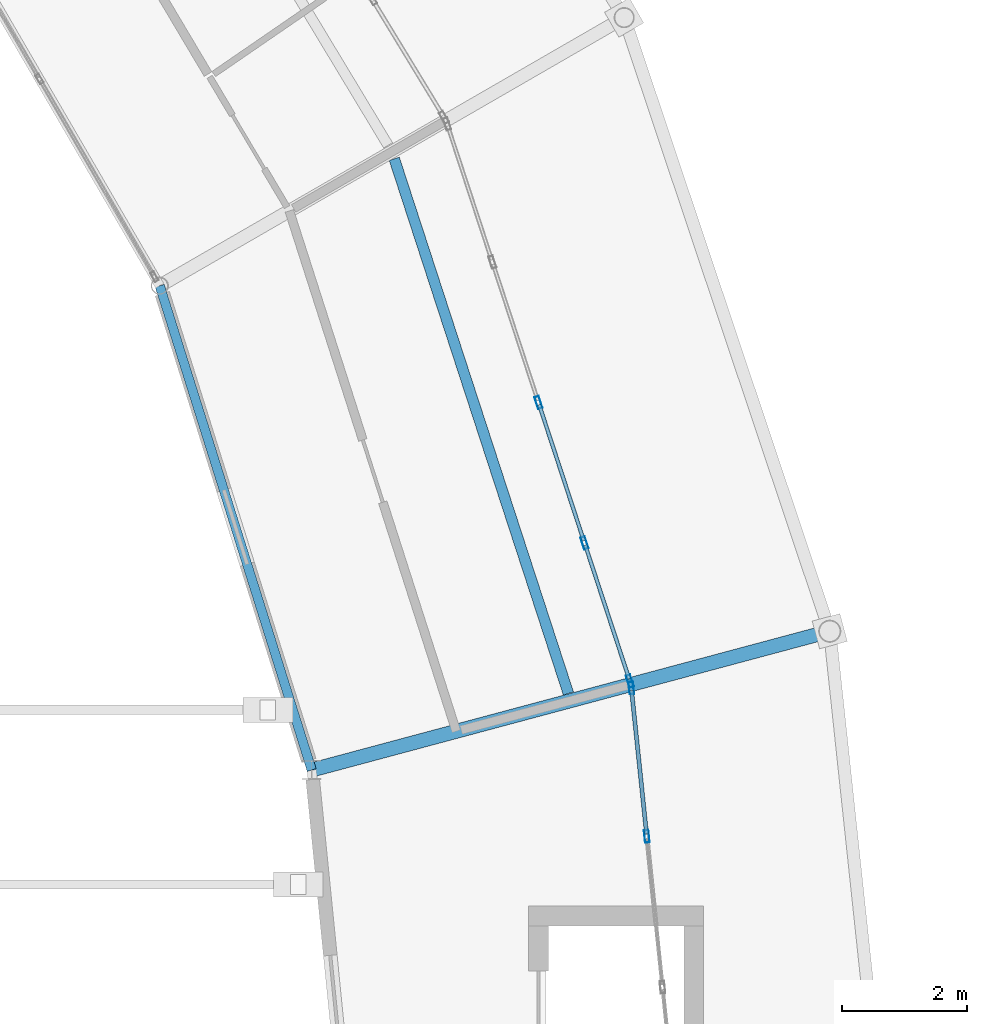
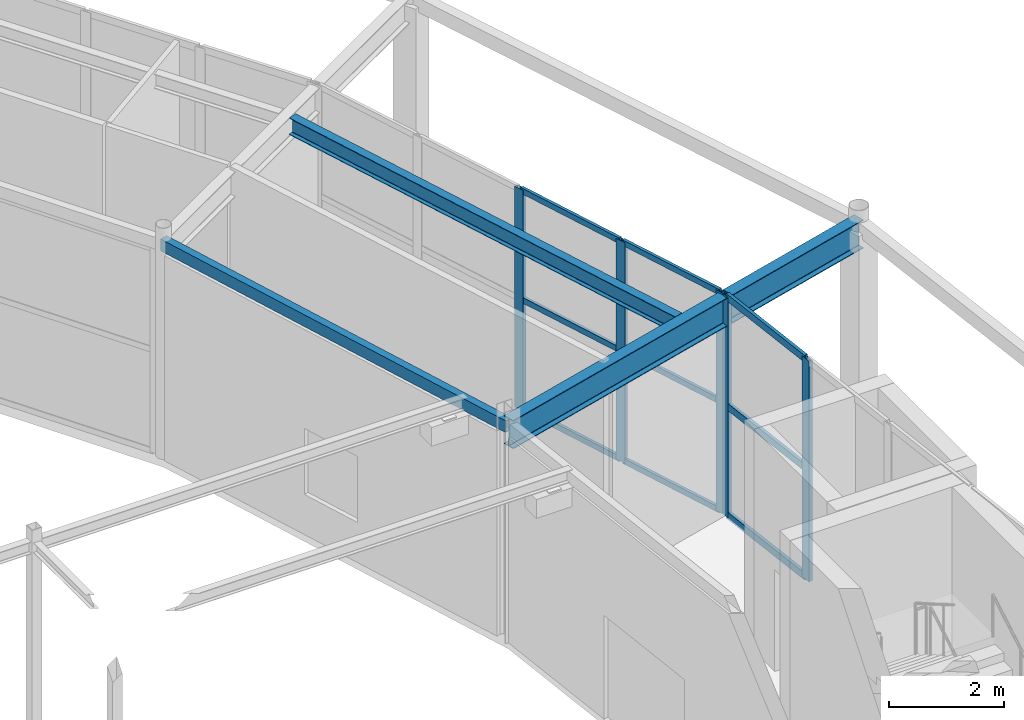
# One storey, part 68 of 144: 14 members, 3 beams, 2 elements without a shape of their own.
"""IFC4 building model written with IfcOpenShell, lengths in metres."""

from ifc_helpers import new_model, si_unit, direction, frame, origin, origin_2d, place, context, subcontext, project, spatial, hollow_rectangle, i_section, extrude, material, material_profile, profile_set, type_object, element, aggregate, save


model = new_model("IFC4")

# Units and contexts
model_context = context("Model", 3, precision=1e-05, world=origin(), true_north=direction((0.0, 1.0)))
body_context = subcontext(model_context, "Body", "Model", "MODEL_VIEW")
ifc_project = project(units=[si_unit("LENGTHUNIT", "METRE"), si_unit("AREAUNIT", "SQUARE_METRE"), si_unit("VOLUMEUNIT", "CUBIC_METRE"), si_unit("PLANEANGLEUNIT", "RADIAN"), si_unit("MASSUNIT", "GRAM", prefix="KILO")], contexts=[model_context])

# Site, building, storey
site_placement = place(None, origin())
site = spatial("IfcSite", under=ifc_project, at=site_placement, CompositionType="ELEMENT")
building_placement = place(site_placement, origin())
building = spatial("IfcBuilding", under=site, at=building_placement, Name="Karori Crest Natural Sciences Institute", CompositionType="ELEMENT")
storey_placement = place(building_placement, origin())
storey = spatial("IfcBuildingStorey", under=building, at=storey_placement, Name="L00", CompositionType="ELEMENT", Elevation=0.0)

# Beams
ifc_material_1 = material(Name="Hollow structural steel AS/NZS 1163 Grade C350", Category="steel")
ifc_material_profile_1 = material_profile(ifc_material_1, hollow_rectangle(XDim=0.14990234375, YDim=0.25, WallThickness=0.009033203125, at=origin_2d()), Name="RHS250x150x9")
ifc_profile_set_1 = profile_set([ifc_material_profile_1], Name="Hollow structural steel AS/NZS 1163 Grade C350")
beam_type_1 = type_object("IfcBeamType", Name="BT-16", PredefinedType="SPANDREL", material=ifc_profile_set_1)
beam_1_placement = place(storey_placement, frame((89.968505859375, 58.23388671875, 4.489990234375), z_axis=(-0.299460006143, 0.954108853706, 0.0), x_axis=(-0.954108853706, -0.299460006143, 0.0)))
element("IfcBeam", 1, at=beam_1_placement, inside=storey, type_object=beam_type_1, Name="Beam B-0094", PredefinedType="SPANDREL", context=body_context, shape_type="SweptSolid", body=[
    extrude(hollow_rectangle(XDim=0.14990234375, YDim=0.25, WallThickness=0.009033203125, at=origin_2d()), origin(), (0.0, 0.0, 1.0), 8.1396484375),
])
ifc_material_2 = material(Name="Structural steel AS/NZS 3679.1 Grade 350", Category="steel")
ifc_material_profile_2 = material_profile(ifc_material_2, i_section(OverallWidth=0.22802734375, OverallDepth=0.60205078125, WebThickness=0.010498046875, FlangeThickness=0.014892578125, FilletRadius=0.013916015625, at=origin_2d()), Name="610UB101")
ifc_profile_set_2 = profile_set([ifc_material_profile_2], Name="Structural steel AS/NZS 3679.1 Grade 350")
beam_type_2 = type_object("IfcBeamType", Name="BT-27", PredefinedType="BEAM", material=ifc_profile_set_2)
beam_2_placement = place(storey_placement, frame((89.968505859375, 58.23388671875, 4.339111328125), z_axis=(0.96592752402, 0.258812709002, 0.0), x_axis=(-0.258812709002, 0.96592752402, 0.0)))
element("IfcBeam", 2, at=beam_2_placement, inside=storey, type_object=beam_type_2, Name="Beam B-0095", PredefinedType="BEAM", context=body_context, shape_type="SweptSolid", body=[
    extrude(i_section(OverallWidth=0.22802734375, OverallDepth=0.60205078125, WebThickness=0.010498046875, FlangeThickness=0.014892578125, FilletRadius=0.013916015625, at=origin_2d()), origin(), (0.0, 0.0, 1.0), 8.60009765625),
])
ifc_material_profile_3 = material_profile(ifc_material_2, i_section(OverallWidth=0.1708984375, OverallDepth=0.35595703125, WebThickness=0.00732421875, FlangeThickness=0.011474609375, FilletRadius=0.010986328125, at=origin_2d()), Name="360UB50.7")
ifc_profile_set_3 = profile_set([ifc_material_profile_3], Name="Structural steel AS/NZS 3679.1 Grade 350")
beam_type_3 = type_object("IfcBeamType", Name="BT-30", PredefinedType="BEAM", material=ifc_profile_set_3)
beam_3_placement = place(storey_placement, frame((94.0849609375, 59.4609375, 4.4619140625), z_axis=(-0.309698753032, 0.950834729262, 0.0), x_axis=(-0.950834729262, -0.309698753032, 0.0)))
element("IfcBeam", 3, at=beam_3_placement, inside=storey, type_object=beam_type_3, Name="Beam B-0096", PredefinedType="BEAM", context=body_context, shape_type="SweptSolid", body=[
    extrude(i_section(OverallWidth=0.1708984375, OverallDepth=0.35595703125, WebThickness=0.00732421875, FlangeThickness=0.011474609375, FilletRadius=0.010986328125, at=origin_2d()), origin(), (0.0, 0.0, 1.0), 9.018310546875),
])

# Curtain wall, members
ifc_material_3 = material(Name="Anodised architectural aluminium 6063-T6", Category="aluminium")
curtain_wall_type_1 = type_object("IfcCurtainWallType", Name="CWT-01", PredefinedType="NOTDEFINED", material=ifc_material_3)
curtain_wall_1_placement = place(storey_placement, origin())
curtain_wall_1 = element("IfcCurtainWall", 4, at=curtain_wall_1_placement, inside=storey, type_object=curtain_wall_type_1, Name="Curtain wall CW-0001", PredefinedType="NOTDEFINED")
ifc_material_profile_4 = material_profile(ifc_material_3, hollow_rectangle(XDim=0.074951171875, YDim=0.199951171875, WallThickness=0.0048828125, at=origin_2d()), Name="CWM200x75x5")
ifc_profile_set_4 = profile_set([ifc_material_profile_4], Name="Anodised architectural aluminium 6063-T6")
member_type_1 = type_object("IfcMemberType", Name="CWM-02", PredefinedType="MULLION", material=ifc_profile_set_4)
member_1_placement = place(storey_placement, frame((95.093994140625, 59.548583984375, 0.0), z_axis=(0.0, 0.0, 1.0), x_axis=(0.994608485589, 0.103701303727, 0.0)))
member_1 = element("IfcMember", 5, at=member_1_placement, type_object=member_type_1, Name="CW-0001 mullion 1", PredefinedType="MULLION", context=body_context, shape_type="SweptSolid", body=[
    extrude(hollow_rectangle(XDim=0.074951171875, YDim=0.199951171875, WallThickness=0.0048828125, at=origin_2d()), origin(), (0.0, 0.0, 1.0), 4.679931640625),
])
member_2_placement = place(storey_placement, frame((95.342041015625, 57.16943359375, 0.0), z_axis=(0.0, 0.0, 1.0), x_axis=(0.994608485589, 0.103701303727, 0.0)))
member_2 = element("IfcMember", 6, at=member_2_placement, type_object=member_type_1, Name="CW-0001 mullion 2", PredefinedType="MULLION", context=body_context, shape_type="SweptSolid", body=[
    extrude(hollow_rectangle(XDim=0.074951171875, YDim=0.199951171875, WallThickness=0.0048828125, at=origin_2d()), origin(), (0.0, 0.0, 1.0), 4.679931640625),
])

curtain_wall_type_2 = type_object("IfcCurtainWallType", Name="CWT-02", PredefinedType="NOTDEFINED", material=ifc_material_3)
curtain_wall_2_placement = place(storey_placement, origin())
curtain_wall_2 = element("IfcCurtainWall", 7, at=curtain_wall_2_placement, inside=storey, type_object=curtain_wall_type_2, Name="Curtain wall CW-0002", PredefinedType="NOTDEFINED")
member_3_placement = place(storey_placement, frame((93.6044921875, 64.1279296875, 0.0), z_axis=(0.0, 0.0, 1.0), x_axis=(0.950175969879, 0.311714013584, 0.0)))
member_3 = element("IfcMember", 8, at=member_3_placement, type_object=member_type_1, Name="CW-0002 mullion 3", PredefinedType="MULLION", context=body_context, shape_type="SweptSolid", body=[
    extrude(hollow_rectangle(XDim=0.074951171875, YDim=0.199951171875, WallThickness=0.0048828125, at=origin_2d()), origin(), (0.0, 0.0, 1.0), 4.679931640625),
])
member_4_placement = place(storey_placement, frame((94.34326171875, 61.876220703125, 0.0), z_axis=(0.0, 0.0, 1.0), x_axis=(0.950175969879, 0.311714013584, 0.0)))
member_4 = element("IfcMember", 9, at=member_4_placement, type_object=member_type_1, Name="CW-0002 mullion 4", PredefinedType="MULLION", context=body_context, shape_type="SweptSolid", body=[
    extrude(hollow_rectangle(XDim=0.074951171875, YDim=0.199951171875, WallThickness=0.0048828125, at=origin_2d()), origin(), (0.0, 0.0, 1.0), 4.679931640625),
])
member_5_placement = place(storey_placement, frame((95.070068359375, 59.660400390625, 0.0), z_axis=(0.0, 0.0, 1.0), x_axis=(0.950175969879, 0.311714013584, 0.0)))
member_5 = element("IfcMember", 10, at=member_5_placement, type_object=member_type_1, Name="CW-0002 mullion 5", PredefinedType="MULLION", context=body_context, shape_type="SweptSolid", body=[
    extrude(hollow_rectangle(XDim=0.074951171875, YDim=0.199951171875, WallThickness=0.0048828125, at=origin_2d()), origin(), (0.0, 0.0, 1.0), 4.679931640625),
])
ifc_material_profile_5 = material_profile(ifc_material_3, hollow_rectangle(XDim=0.06005859375, YDim=0.1201171875, WallThickness=0.00390625, at=origin_2d()), Name="CWT120x60x4")
ifc_profile_set_5 = profile_set([ifc_material_profile_5], Name="Anodised architectural aluminium 6063-T6")
member_type_2 = type_object("IfcMemberType", Name="CWT-TR1", PredefinedType="USERDEFINED", material=ifc_profile_set_5)
member_6_placement = place(storey_placement, frame((93.6162109375, 64.09228515625, 0.030029296875), z_axis=(0.311723893704, -0.950172728557, 0.0), x_axis=(0.950172728557, 0.311723893704, 0.0)))
member_6 = element("IfcMember", 11, at=member_6_placement, type_object=member_type_2, Name="CW-0002 transom 3.1", ObjectType="TRANSOM", PredefinedType="USERDEFINED", context=body_context, shape_type="SweptSolid", body=[
    extrude(hollow_rectangle(XDim=0.06005859375, YDim=0.1201171875, WallThickness=0.00390625, at=origin_2d()), origin(), (0.0, 0.0, 1.0), 2.294677734375),
])
member_7_placement = place(storey_placement, frame((93.6162109375, 64.09228515625, 2.340087890625), z_axis=(0.311723893704, -0.950172728557, 0.0), x_axis=(0.950172728557, 0.311723893704, 0.0)))
member_7 = element("IfcMember", 12, at=member_7_placement, type_object=member_type_2, Name="CW-0002 transom 3.2", ObjectType="TRANSOM", PredefinedType="USERDEFINED", context=body_context, shape_type="SweptSolid", body=[
    extrude(hollow_rectangle(XDim=0.06005859375, YDim=0.1201171875, WallThickness=0.00390625, at=origin_2d()), origin(), (0.0, 0.0, 1.0), 2.294677734375),
])
member_8_placement = place(storey_placement, frame((93.6162109375, 64.09228515625, 4.64990234375), z_axis=(0.311723893704, -0.950172728557, 0.0), x_axis=(0.950172728557, 0.311723893704, 0.0)))
member_8 = element("IfcMember", 13, at=member_8_placement, type_object=member_type_2, Name="CW-0002 transom 3.3", ObjectType="TRANSOM", PredefinedType="USERDEFINED", context=body_context, shape_type="SweptSolid", body=[
    extrude(hollow_rectangle(XDim=0.06005859375, YDim=0.1201171875, WallThickness=0.00390625, at=origin_2d()), origin(), (0.0, 0.0, 1.0), 2.294677734375),
])
member_9_placement = place(storey_placement, frame((94.354736328125, 61.840576171875, 0.030029296875), z_axis=(0.311746003842, -0.950165474583, 0.0), x_axis=(0.950165474583, 0.311746003842, 0.0)))
member_9 = element("IfcMember", 14, at=member_9_placement, type_object=member_type_2, Name="CW-0002 transom 4.1", ObjectType="TRANSOM", PredefinedType="USERDEFINED", context=body_context, shape_type="SweptSolid", body=[
    extrude(hollow_rectangle(XDim=0.06005859375, YDim=0.1201171875, WallThickness=0.00390625, at=origin_2d()), origin(), (0.0, 0.0, 1.0), 2.257080078125),
])
member_10_placement = place(storey_placement, frame((94.354736328125, 61.840576171875, 2.340087890625), z_axis=(0.311746003842, -0.950165474583, 0.0), x_axis=(0.950165474583, 0.311746003842, 0.0)))
member_10 = element("IfcMember", 15, at=member_10_placement, type_object=member_type_2, Name="CW-0002 transom 4.2", ObjectType="TRANSOM", PredefinedType="USERDEFINED", context=body_context, shape_type="SweptSolid", body=[
    extrude(hollow_rectangle(XDim=0.06005859375, YDim=0.1201171875, WallThickness=0.00390625, at=origin_2d()), origin(), (0.0, 0.0, 1.0), 2.257080078125),
])
member_11_placement = place(storey_placement, frame((94.354736328125, 61.840576171875, 4.64990234375), z_axis=(0.311746003842, -0.950165474583, 0.0), x_axis=(0.950165474583, 0.311746003842, 0.0)))
member_11 = element("IfcMember", 16, at=member_11_placement, type_object=member_type_2, Name="CW-0002 transom 4.3", ObjectType="TRANSOM", PredefinedType="USERDEFINED", context=body_context, shape_type="SweptSolid", body=[
    extrude(hollow_rectangle(XDim=0.06005859375, YDim=0.1201171875, WallThickness=0.00390625, at=origin_2d()), origin(), (0.0, 0.0, 1.0), 2.257080078125),
])
aggregate(curtain_wall_2, [member_3, member_4, member_5, member_6, member_7, member_8, member_9, member_10, member_11])

# Member
ifc_material_profile_6 = material_profile(ifc_material_3, hollow_rectangle(XDim=0.06494140625, YDim=0.14990234375, WallThickness=0.00390625, at=origin_2d()), Name="CWT150x65x4")
ifc_profile_set_6 = profile_set([ifc_material_profile_6], Name="Anodised architectural aluminium 6063-T6")
member_type_3 = type_object("IfcMemberType", Name="CWT-TR2", PredefinedType="USERDEFINED", material=ifc_profile_set_6)
member_12_placement = place(storey_placement, frame((95.097900390625, 59.51123046875, 0.032470703125), z_axis=(0.103675570927, -0.994611168243, 0.0), x_axis=(0.994611168243, 0.103675570927, 0.0)))
member_12 = element("IfcMember", 17, at=member_12_placement, type_object=member_type_3, Name="CW-0001 transom 1.1", ObjectType="TRANSOM", PredefinedType="USERDEFINED", context=body_context, shape_type="SweptSolid", body=[
    extrude(hollow_rectangle(XDim=0.06494140625, YDim=0.14990234375, WallThickness=0.00390625, at=origin_2d()), origin(), (0.0, 0.0, 1.0), 2.317138671875),
])

member_13_placement = place(storey_placement, frame((95.097900390625, 59.51123046875, 2.340087890625), z_axis=(0.103675570927, -0.994611168243, 0.0), x_axis=(0.994611168243, 0.103675570927, 0.0)))
member_13 = element("IfcMember", 18, at=member_13_placement, type_object=member_type_3, Name="CW-0001 transom 1.2", ObjectType="TRANSOM", PredefinedType="USERDEFINED", context=body_context, shape_type="SweptSolid", body=[
    extrude(hollow_rectangle(XDim=0.06494140625, YDim=0.14990234375, WallThickness=0.00390625, at=origin_2d()), origin(), (0.0, 0.0, 1.0), 2.317138671875),
])

member_14_placement = place(storey_placement, frame((95.097900390625, 59.51123046875, 4.6474609375), z_axis=(0.103675570927, -0.994611168243, 0.0), x_axis=(0.994611168243, 0.103675570927, 0.0)))
member_14 = element("IfcMember", 19, at=member_14_placement, type_object=member_type_3, Name="CW-0001 transom 1.3", ObjectType="TRANSOM", PredefinedType="USERDEFINED", context=body_context, shape_type="SweptSolid", body=[
    extrude(hollow_rectangle(XDim=0.06494140625, YDim=0.14990234375, WallThickness=0.00390625, at=origin_2d()), origin(), (0.0, 0.0, 1.0), 2.317138671875),
])

aggregate(curtain_wall_1, [member_1, member_2, member_12, member_13, member_14])

save(model, "model.ifc")
